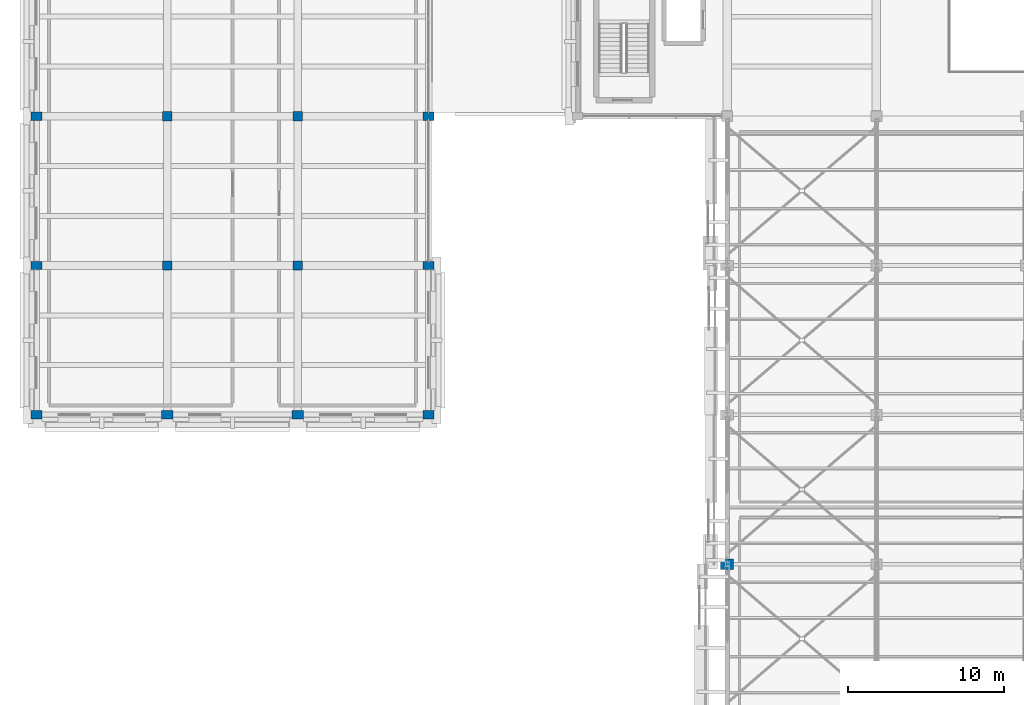
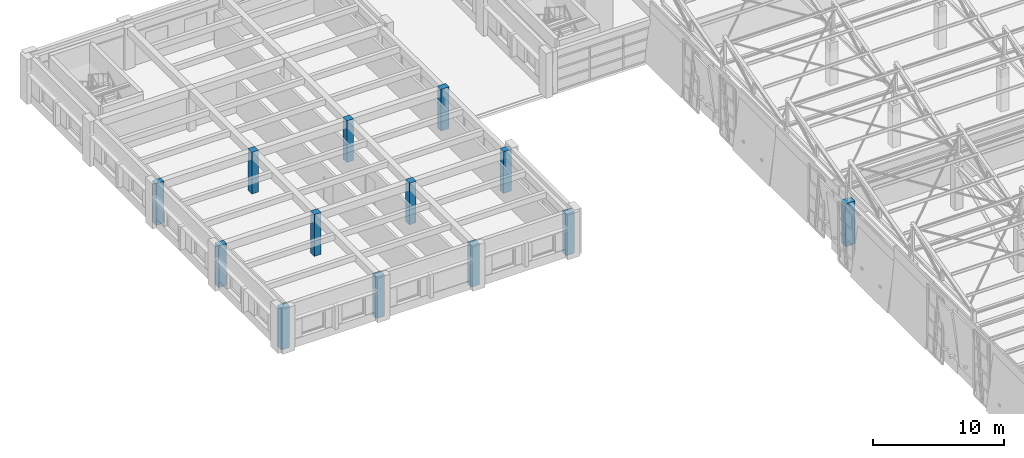
# One storey, part 2 of 71: 13 columns.
"""IFC4 building model written with IfcOpenShell, lengths in metres."""

import ifcopenshell
import ifcopenshell.guid

model = None  # the IFC model being written
_history = None  # IfcOwnerHistory: only IFC2X3 demands one
_inside = {}  # id of a spatial element -> (the spatial element, [elements in it])
_under = {}  # id of a project, library or spatial element -> (it, [spatial elements below it])
_declared = {}  # id of a project -> (the project, [libraries it declares])
_typed = {}  # id of a type object -> (the type object, [elements of that type])
_made_of = {}  # id of a material, layer set ... -> (it, [elements and type objects made of it])


def new_model(schema):
    """Start an empty IFC model of exactly this schema.

    Asked for "IFC4X3", IfcOpenShell would pick the latest addendum, in which some entities
    have other attributes; the version numbers below select the first issue.
    IFC2X3 requires an IfcOwnerHistory on every rooted entity: one is made here for all.
    """
    global model, _history
    if schema == "IFC4X3":
        model = ifcopenshell.file(schema_version=(4, 3, 0, 0))
    else:
        model = ifcopenshell.file(schema=schema)
    _inside.clear()
    _under.clear()
    _declared.clear()
    _typed.clear()
    _made_of.clear()
    _history = None
    if model.schema == "IFC2X3":
        org = make("IfcOrganization", Name="unknown")
        user = make(
            "IfcPersonAndOrganization",
            ThePerson=make("IfcPerson", FamilyName="unknown"),
            TheOrganization=org,
        )
        app = make(
            "IfcApplication",
            ApplicationDeveloper=org,
            Version="unknown",
            ApplicationFullName="unknown",
            ApplicationIdentifier="unknown",
        )
        _history = make(
            "IfcOwnerHistory",
            OwningUser=user,
            OwningApplication=app,
            ChangeAction="ADDED",
            CreationDate=0,
        )
    return model


def make(cls, **values):
    """One entity of the class cls with the attributes given. An attribute that is None is left unset."""
    return model.create_entity(
        cls, **{name: value for name, value in values.items() if value is not None}
    )


def rooted(cls, **values):
    """An entity with a GlobalId (a new one), such as an element, a storey or a relation."""
    return make(cls, GlobalId=ifcopenshell.guid.new(), OwnerHistory=_history, **values)


def si_unit(unit_type, name, prefix=None):
    """IfcSIUnit, for example si_unit("LENGTHUNIT", "METRE", prefix="MILLI")."""
    return make("IfcSIUnit", UnitType=unit_type, Prefix=prefix, Name=name)


def assignment(units):
    """IfcUnitAssignment: the units of a project."""
    return None if units is None else make("IfcUnitAssignment", Units=units)


def point(xyz):
    """IfcCartesianPoint."""
    return None if xyz is None else make("IfcCartesianPoint", Coordinates=xyz)


def direction(xyz):
    """IfcDirection."""
    return None if xyz is None else make("IfcDirection", DirectionRatios=xyz)


def frame(location, z_axis=None, x_axis=None):
    """IfcAxis2Placement3D, a coordinate frame: its origin and axes. An axis left out is left unset."""
    return make(
        "IfcAxis2Placement3D",
        Location=point(location),
        Axis=direction(z_axis),
        RefDirection=direction(x_axis),
    )


def frame_2d(location, x_axis=None):
    """IfcAxis2Placement2D, a coordinate frame in the plane: its origin and x axis."""
    return make(
        "IfcAxis2Placement2D", Location=point(location), RefDirection=direction(x_axis)
    )


def origin():
    """The frame at (0, 0, 0) with its axes left unset."""
    return frame((0.0, 0.0, 0.0))


def origin_2d():
    """The frame at (0, 0) in the plane with its x axis left unset."""
    return frame_2d((0.0, 0.0))


def place(relative_to, where):
    """IfcLocalPlacement: puts the frame where relative to a parent placement (None: the world)."""
    return make(
        "IfcLocalPlacement", PlacementRelTo=relative_to, RelativePlacement=where
    )


def context(
    kind, dimensions, precision=None, world=None, true_north=None, identifier=None
):
    """IfcGeometricRepresentationContext, for example the 3D "Model" context."""
    return make(
        "IfcGeometricRepresentationContext",
        ContextIdentifier=identifier,
        ContextType=kind,
        CoordinateSpaceDimension=dimensions,
        Precision=precision,
        WorldCoordinateSystem=world,
        TrueNorth=true_north,
    )


def subcontext(parent, identifier, kind, view, scale=None):
    """IfcGeometricRepresentationSubContext, for example "Body" below "Model"."""
    return make(
        "IfcGeometricRepresentationSubContext",
        ContextIdentifier=identifier,
        ContextType=kind,
        ParentContext=parent,
        TargetScale=scale,
        TargetView=view,
    )


def project(units=None, contexts=None):
    """IfcProject with its units and contexts."""
    return rooted(
        "IfcProject",
        Name="project",
        RepresentationContexts=contexts,
        UnitsInContext=assignment(units),
    )


def spatial(cls, under=None, at=None, **own):
    """A site, building, storey or space (cls), placed at a placement, below another one or the project."""
    s = rooted(cls, ObjectPlacement=at, **own)
    if under is not None:
        _under.setdefault(under.id(), (under, []))[1].append(s)
    return s


def profile(cls, at=None, kind="AREA", **sizes):
    """A parametric profile (cls). Its sizes go by their IFC names, for example OverallWidth=200.0."""
    return make(cls, ProfileType=kind, Position=at, **sizes)


def rectangle(**sizes):
    """IfcRectangleProfileDef."""
    return profile("IfcRectangleProfileDef", **sizes)


def extrude(swept, where, along, depth):
    """IfcExtrudedAreaSolid: the profile swept, set in the frame where, extruded along a direction by depth."""
    return make(
        "IfcExtrudedAreaSolid",
        SweptArea=swept,
        Position=where,
        ExtrudedDirection=direction(along),
        Depth=depth,
    )


def shape(context_of_items, identifier, shape_type, items):
    """IfcShapeRepresentation: the items that make up one representation, for example the "Body"."""
    return make(
        "IfcShapeRepresentation",
        ContextOfItems=context_of_items,
        RepresentationIdentifier=identifier,
        RepresentationType=shape_type,
        Items=items,
    )


def material(Name=None, Category=None):
    """IfcMaterial."""
    return make("IfcMaterial", Name=Name, Category=Category)


def material_profile(
    of_material, cross_section, Name=None, Category=None, Priority=None
):
    """IfcMaterialProfile: a cross section and its material."""
    return make(
        "IfcMaterialProfile",
        Name=Name,
        Material=of_material,
        Profile=cross_section,
        Priority=Priority,
        Category=Category,
    )


def profile_set(profiles, Name=None, composite=None):
    """IfcMaterialProfileSet."""
    return make(
        "IfcMaterialProfileSet",
        Name=Name,
        MaterialProfiles=profiles,
        CompositeProfile=composite,
    )


def made_of(thing, what):
    """Note that an element or type object is made of a material, layer set ...; save() writes the relation."""
    if what is not None:
        _made_of.setdefault(what.id(), (what, []))[1].append(thing)
    return thing


def type_object(cls, material=None, **own):
    """A type object (cls), such as IfcWallType, which elements share."""
    return made_of(rooted(cls, **own), material)


def element(
    cls,
    number,
    at=None,
    inside=None,
    cuts=None,
    type_object=None,
    material=None,
    context=None,
    identifier="Body",
    shape_type=None,
    held_by="IfcProductDefinitionShape",
    body=None,
    shapes=None,
    **own,
):
    """One element of the class cls, such as IfcWall. Its Tag is "e" and its number.

    at: its placement. inside: the storey or other place that contains it. cuts: it is an
    opening in that element (IfcRelVoidsElement). A single representation is given by context,
    identifier, shape_type and body (its items); several are given by shapes. held_by: the class
    of the entity that holds the representations. save() writes the other relations.
    """
    e = rooted(cls, Tag="e%d" % number, ObjectPlacement=at, **own)
    if body is not None:
        shapes = [shape(context, identifier, shape_type, body)]
    if shapes is not None:
        e.Representation = make(held_by, Representations=shapes)
    if inside is not None:
        _inside.setdefault(inside.id(), (inside, []))[1].append(e)
    if cuts is not None:
        rooted(
            "IfcRelVoidsElement", RelatingBuildingElement=cuts, RelatedOpeningElement=e
        )
    if type_object is not None:
        _typed.setdefault(type_object.id(), (type_object, []))[1].append(e)
    return made_of(e, material)


def aggregate(whole, parts):
    """IfcRelAggregates: a whole, such as a stair, and the parts it consists of."""
    return rooted("IfcRelAggregates", RelatingObject=whole, RelatedObjects=parts)


def save(model, path):
    """Write the relations noted so far, then the file.

    IfcRelAggregates (storeys below a building ...), IfcRelContainedInSpatialStructure (elements
    in a storey), IfcRelDefinesByType, IfcRelAssociatesMaterial and IfcRelDeclares: one each for
    every whole, place, type object, material and project.
    """
    for whole, parts in _under.values():
        aggregate(whole, parts)
    for where, things in _inside.values():
        rooted(
            "IfcRelContainedInSpatialStructure",
            RelatedElements=things,
            RelatingStructure=where,
        )
    for kind, things in _typed.values():
        rooted("IfcRelDefinesByType", RelatedObjects=things, RelatingType=kind)
    for what, things in _made_of.values():
        rooted("IfcRelAssociatesMaterial", RelatedObjects=things, RelatingMaterial=what)
    for by, libraries in _declared.values():
        rooted("IfcRelDeclares", RelatingContext=by, RelatedDefinitions=libraries)
    model.write(path)


model = new_model("IFC4")

# Units and contexts
model_context = context("Model", 3, precision=1e-05, world=origin(), true_north=direction((0.0, 1.0)))
body_context = subcontext(model_context, "Body", "Model", "MODEL_VIEW")
ifc_project = project(units=[si_unit("LENGTHUNIT", "METRE"), si_unit("AREAUNIT", "SQUARE_METRE"), si_unit("VOLUMEUNIT", "CUBIC_METRE"), si_unit("PLANEANGLEUNIT", "RADIAN"), si_unit("MASSUNIT", "GRAM", prefix="KILO")], contexts=[model_context])

# Site, building, storey
site_placement = place(None, origin())
site = spatial("IfcSite", under=ifc_project, at=site_placement, CompositionType="ELEMENT")
building_placement = place(site_placement, origin())
building = spatial("IfcBuilding", under=site, at=building_placement, Name="Bempovik Park Faculty of Sciences", CompositionType="ELEMENT")
storey_placement = place(building_placement, frame((0.0, 0.0, 14.10009765625)))
storey = spatial("IfcBuildingStorey", under=building, at=storey_placement, Name="L03", CompositionType="ELEMENT", Elevation=14.10009765625)

# Columns
ifc_material = material(Name="Concrete C40/50", Category="concrete")
ifc_material_profile_1 = material_profile(ifc_material, rectangle(XDim=0.719970703125, YDim=0.5400390625, at=origin_2d()), Name="RC 720x540")
ifc_profile_set_1 = profile_set([ifc_material_profile_1], Name="Concrete C40/50")
column_type_1 = type_object("IfcColumnType", Name="C-18 RC 720x540", PredefinedType="COLUMN", material=ifc_profile_set_1)
for number, where, z_axis, x_axis, name in (
    (1, (15.60009765625, 48.60009765625, 0.0), (0.0, 0.0, 1.0), (1.0, 0.0, 0.0), "L03 Structural Column (15.6,48.6)"),
    (2, (15.60009765625, 58.199951171875, 0.0), (0.0, 0.0, 1.0), (1.0, 0.0, 0.0), "L03 Structural Column (15.6,58.2)"),
    (3, (15.60009765625, 67.800048828125, 0.0), (0.0, 0.0, 1.0), (1.0, 0.0, 0.0), "L03 Structural Column (15.6,67.8)"),
    (4, (24.0, 48.60009765625, 0.0), (0.0, 0.0, 1.0), (1.0, 0.0, 0.0), "L03 Structural Column (24.0,48.6)"),
    (5, (32.39990234375, 48.60009765625, 0.0), (0.0, 0.0, 1.0), (1.0, 0.0, 0.0), "L03 Structural Column (32.4,48.6)"),
    (6, (40.800048828125, 48.60009765625, 0.0), (0.0, 0.0, 1.0), (1.0, 0.0, 0.0), "L03 Structural Column (40.8,48.6)"),
    (7, (40.800048828125, 58.199951171875, 0.0), (0.0, 0.0, 1.0), (1.0, 0.0, 0.0), "L03 Structural Column (40.8,58.2)"),
    (8, (40.800048828125, 67.800048828125, 0.0), (0.0, 0.0, 1.0), (1.0, 0.0, 0.0), "L03 Structural Column (40.8,67.8)"),
):
    element("IfcColumn", number, at=place(storey_placement, frame(where, z_axis=z_axis, x_axis=x_axis)), inside=storey, type_object=column_type_1, Name=name, PredefinedType="COLUMN", context=body_context, shape_type="SweptSolid", body=[
        extrude(rectangle(XDim=0.719970703125, YDim=0.5400390625, at=origin_2d()), origin(), (0.0, 0.0, 1.0), 3.89990234375),
    ])
ifc_material_profile_2 = material_profile(ifc_material, rectangle(XDim=0.60009765625, YDim=0.60009765625, at=origin_2d()), Name="RC 600x600")
ifc_profile_set_2 = profile_set([ifc_material_profile_2], Name="Concrete C40/50")
column_type_2 = type_object("IfcColumnType", Name="C-21 RC 600x600", PredefinedType="COLUMN", material=ifc_profile_set_2)
for number, where, z_axis, x_axis, name in (
    (9, (24.0, 58.199951171875, 0.0), (0.0, 0.0, 1.0), (1.0, 0.0, 0.0), "L03 Structural Column (24.0,58.2)"),
    (10, (24.0, 67.800048828125, 0.0), (0.0, 0.0, 1.0), (1.0, 0.0, 0.0), "L03 Structural Column (24.0,67.8)"),
    (11, (32.39990234375, 58.199951171875, 0.0), (0.0, 0.0, 1.0), (1.0, 0.0, 0.0), "L03 Structural Column (32.4,58.2)"),
    (12, (32.39990234375, 67.800048828125, 0.0), (0.0, 0.0, 1.0), (1.0, 0.0, 0.0), "L03 Structural Column (32.4,67.8)"),
):
    element("IfcColumn", number, at=place(storey_placement, frame(where, z_axis=z_axis, x_axis=x_axis)), inside=storey, type_object=column_type_2, Name=name, PredefinedType="COLUMN", context=body_context, shape_type="SweptSolid", body=[
        extrude(rectangle(XDim=0.60009765625, YDim=0.60009765625, at=origin_2d()), origin(), (0.0, 0.0, 1.0), 3.89990234375),
    ])
ifc_material_profile_3 = material_profile(ifc_material, rectangle(XDim=0.85009765625, YDim=0.64990234375, at=origin_2d()), Name="RC 850x650")
ifc_profile_set_3 = profile_set([ifc_material_profile_3], Name="Concrete C40/50")
column_type_3 = type_object("IfcColumnType", Name="C-71 RC 850x650", PredefinedType="COLUMN", material=ifc_profile_set_3)
column_placement = place(storey_placement, frame((60.0, 39.0, 0.0), z_axis=(0.0, 0.0, 1.0), x_axis=(1.0, 0.0, 0.0)))
element("IfcColumn", 13, at=column_placement, inside=storey, type_object=column_type_3, Name="L03 Structural Column (60.0,39.0)", PredefinedType="COLUMN", context=body_context, shape_type="SweptSolid", body=[
    extrude(rectangle(XDim=0.85009765625, YDim=0.64990234375, at=origin_2d()), origin(), (0.0, 0.0, 1.0), 3.97998046875),
])

save(model, "model.ifc")
